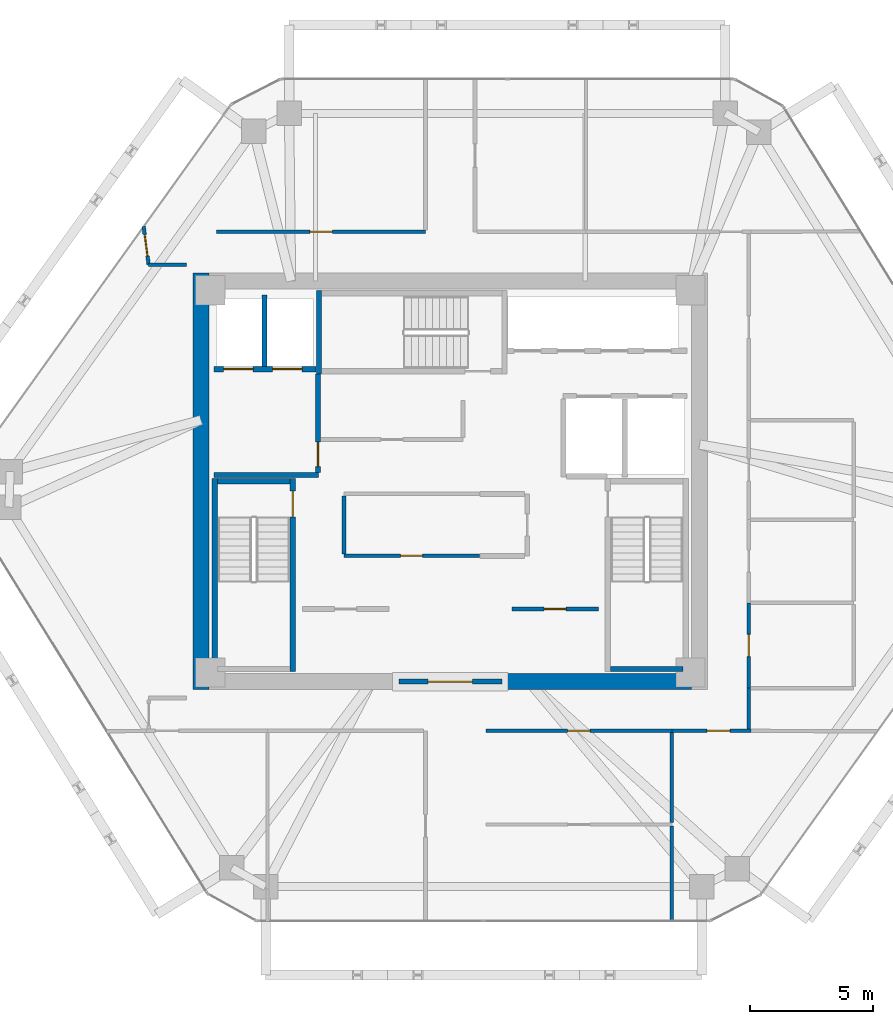
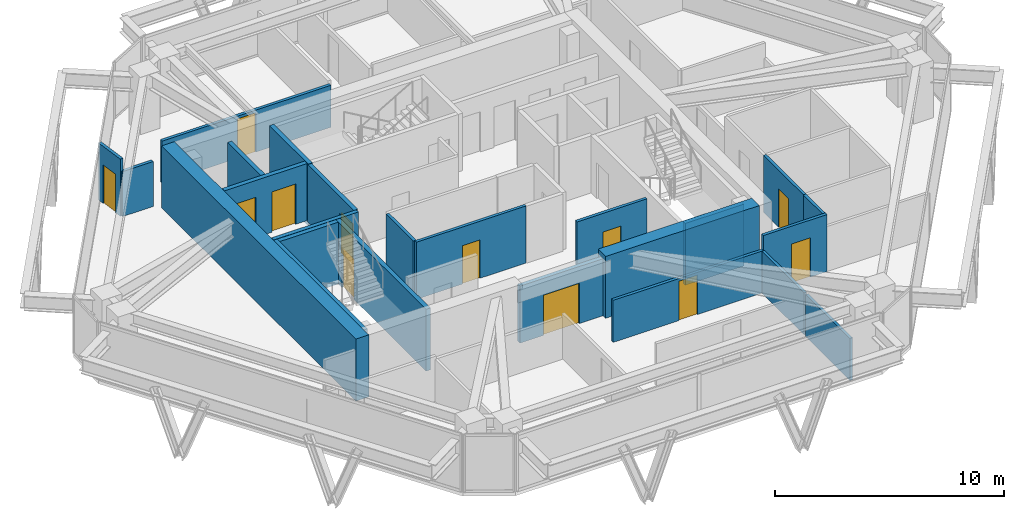
# One storey, part 8 of 11: 24 walls, 12 doors, 12 openings.
"""IFC4 building model written with IfcOpenShell, lengths in metres."""

from ifc_helpers import new_model, si_unit, direction, frame, frame_2d, origin, place, context, subcontext, project, spatial, rectangle, extrude, source, transform, mapped, material, layer, layer_set, type_object, type_shapes, element, fill, save


model = new_model("IFC4")

# Units and contexts
model_context = context("Model", 3, precision=1e-05, world=origin(), true_north=direction((0.0, 1.0)))
body_context = subcontext(model_context, "Body", "Model", "MODEL_VIEW")
ifc_project = project(units=[si_unit("LENGTHUNIT", "METRE"), si_unit("AREAUNIT", "SQUARE_METRE"), si_unit("VOLUMEUNIT", "CUBIC_METRE"), si_unit("PLANEANGLEUNIT", "RADIAN"), si_unit("MASSUNIT", "GRAM", prefix="KILO")], contexts=[model_context])

# Site, building, storey
site_placement = place(None, origin())
site = spatial("IfcSite", under=ifc_project, at=site_placement, CompositionType="ELEMENT")
building_placement = place(site_placement, origin())
building = spatial("IfcBuilding", under=site, at=building_placement, Name="Durnholm Broadcast Tower", CompositionType="ELEMENT")
storey_placement = place(building_placement, frame((0.0, 0.0, 196.89990234375)))
storey = spatial("IfcBuildingStorey", under=building, at=storey_placement, Name="L54", CompositionType="ELEMENT", Elevation=196.89990234375)

# Walls
ifc_material_1 = material(Name="Concrete C70/85", Category="concrete")
ifc_layer_1 = layer(ifc_material_1, 0.64990234375)
ifc_layer_set_1 = layer_set([ifc_layer_1], Name="Concrete C70/85")
wall_type_1 = type_object("IfcWallType", Name="WALL-CW-650", PredefinedType="SHEAR", material=ifc_layer_set_1)
wall_1_placement = place(storey_placement, frame((-10.175048828125, -8.5, 0.0), z_axis=(0.0, 0.0, 1.0), x_axis=(0.0, 1.0, 0.0)))
element("IfcWall", 1, at=wall_1_placement, inside=storey, type_object=wall_type_1, Name="L54 central core shear wall CW-WEST", PredefinedType="SHEAR", context=body_context, shape_type="SweptSolid", body=[
    extrude(rectangle(XDim=17.0, YDim=0.64990234375, at=frame_2d((8.5, 0.0))), origin(), (0.0, 0.0, 1.0), 3.300048828125),
])
wall_2_placement = place(storey_placement, frame((2.10009765625, -8.175048828125, 0.0), z_axis=(0.0, 0.0, 1.0), x_axis=(1.0, 0.0, 0.0)))
element("IfcWall", 2, at=wall_2_placement, inside=storey, type_object=wall_type_1, Name="L54 central core shear wall CW-S2", PredefinedType="SHEAR", context=body_context, shape_type="SweptSolid", body=[
    extrude(rectangle(XDim=7.75, YDim=0.64990234375, at=frame_2d((3.875, 0.0))), origin(), (0.0, 0.0, 1.0), 3.300048828125),
])

# Wall, opening, door
ifc_material_2 = material(Name="Fire-Rated Gypsum Shaftwall", Category="concrete")
ifc_layer_2 = layer(ifc_material_2, 0.199951171875)
ifc_layer_set_2 = layer_set([ifc_layer_2], Name="Fire-Rated Gypsum Shaftwall")
wall_type_2 = type_object("IfcWallType", Name="WALL-LOB-200", PredefinedType="SOLIDWALL", material=ifc_layer_set_2)
wall_3_placement = place(storey_placement, frame((-2.10009765625, -8.175048828125, 0.0), z_axis=(0.0, 0.0, 1.0), x_axis=(1.0, 0.0, 0.0)))
wall_3 = element("IfcWall", 3, at=wall_3_placement, inside=storey, type_object=wall_type_2, Name="L54 south core lobby fire screen", PredefinedType="SOLIDWALL", context=body_context, shape_type="SweptSolid", body=[
    extrude(rectangle(XDim=4.2001953125, YDim=0.199951171875, at=frame_2d((2.10009765625, 0.0))), origin(), (0.0, 0.0, 1.0), 3.045166015625),
])
opening_1_placement = place(wall_3_placement, frame((1.199951171875, 0.0, 0.0)))
opening_1 = element("IfcOpeningElement", 4, at=opening_1_placement, cuts=wall_3, Name="Opening DP-60", PredefinedType="OPENING", context=body_context, shape_type="SweptSolid", body=[
    extrude(rectangle(XDim=1.800048828125, YDim=2.14990234375, at=frame_2d((0.89990234375, 1.074951171875))), frame((0.0, 0.10986328125, 0.0), z_axis=(0.0, -1.0, 0.0), x_axis=(1.0, 0.0, 0.0)), (0.0, 0.0, 1.0), 0.219970703125),
])
ifc_material_3 = material(Name="Fire-Rated Double Corridor Door", Category="steel")
ifc_layer_3 = layer(ifc_material_3, 0.050048828125)
ifc_layer_set_3 = layer_set([ifc_layer_3], Name="Fire-Rated Double Corridor Door")
door_type_1 = type_object("IfcDoorType", Name="DOOR-PAIR-FD60", OperationType="DOUBLE_DOOR_SINGLE_SWING", PredefinedType="DOOR", material=ifc_layer_set_3)
shared_shape_1 = source(origin(), body_context, "Body", "SweptSolid", [
    extrude(rectangle(XDim=1.800048828125, YDim=2.14990234375, at=frame_2d((0.89990234375, 1.074951171875))), frame((0.0, 0.02490234375, 0.0), z_axis=(0.0, -1.0, 0.0), x_axis=(1.0, 0.0, 0.0)), (0.0, 0.0, 1.0), 0.050048828125),
])
type_shapes(door_type_1, [shared_shape_1])
door_1_placement = place(opening_1_placement, origin())
door_1 = element("IfcDoor", 5, at=door_1_placement, inside=storey, type_object=door_type_1, Name="L54 south core lobby double fire door", OperationType="DOUBLE_DOOR_SINGLE_SWING", OverallHeight=2.14990234375, OverallWidth=1.800048828125, PredefinedType="DOOR", context=body_context, shape_type="MappedRepresentation", body=[
    mapped(shared_shape_1, transform((0.0, 0.0, 0.0), x_axis=(1.0, 0.0, 0.0), y_axis=(0.0, 1.0, 0.0), z_axis=(0.0, 0.0, 1.0), scale=1.0)),
])
fill(opening_1, door_1)

# Wall
wall_4_placement = place(storey_placement, frame((-9.64990234375, 0.25, 0.0), z_axis=(0.0, 0.0, 1.0), x_axis=(1.0, 0.0, 0.0)))
element("IfcWall", 6, at=wall_4_placement, inside=storey, type_object=wall_type_2, Name="L54 Fire Service Access Elevator lobby south wall", PredefinedType="SOLIDWALL", context=body_context, shape_type="SweptSolid", body=[
    extrude(rectangle(XDim=4.27001953125, YDim=0.199951171875, at=frame_2d((2.135009765625, 0.0))), origin(), (0.0, 0.0, 1.0), 3.045166015625),
])

# Wall, opening, door
wall_5_placement = place(storey_placement, frame((-5.39990234375, 0.35400390625, 0.0), z_axis=(0.0, 0.0, 1.0), x_axis=(0.0, 1.0, 0.0)))
wall_5 = element("IfcWall", 7, at=wall_5_placement, inside=storey, type_object=wall_type_2, Name="L54 Fire Service Access Elevator lobby east fire wall", PredefinedType="SOLIDWALL", context=body_context, shape_type="SweptSolid", body=[
    extrude(rectangle(XDim=4.02587890625, YDim=0.199951171875, at=frame_2d((2.012939453125, 0.0))), origin(), (0.0, 0.0, 1.0), 3.045166015625),
])
opening_2_placement = place(wall_5_placement, frame((0.24609375, 0.0, 0.0)))
opening_2 = element("IfcOpeningElement", 8, at=opening_2_placement, cuts=wall_5, Name="Opening DL-60L", PredefinedType="OPENING", context=body_context, shape_type="SweptSolid", body=[
    extrude(rectangle(XDim=1.0, YDim=2.14990234375, at=frame_2d((0.5, 1.074951171875))), frame((0.0, 0.10986328125, 0.0), z_axis=(0.0, -1.0, 0.0), x_axis=(1.0, 0.0, 0.0)), (0.0, 0.0, 1.0), 0.219970703125),
])
ifc_material_4 = material(Name="Fire-Rated Timber/Steel Door", Category="steel")
ifc_layer_4 = layer(ifc_material_4, 0.050048828125)
ifc_layer_set_4 = layer_set([ifc_layer_4], Name="Fire-Rated Timber/Steel Door")
door_type_2 = type_object("IfcDoorType", Name="DOOR-LOB-FD60-L", OperationType="NOTDEFINED", PredefinedType="DOOR", material=ifc_layer_set_4)
shared_shape_2 = source(origin(), body_context, "Body", "SweptSolid", [
    extrude(rectangle(XDim=1.0, YDim=2.14990234375, at=frame_2d((0.5, 1.074951171875))), frame((0.0, 0.02490234375, 0.0), z_axis=(0.0, -1.0, 0.0), x_axis=(1.0, 0.0, 0.0)), (0.0, 0.0, 1.0), 0.050048828125),
])
type_shapes(door_type_2, [shared_shape_2])
door_2_placement = place(opening_2_placement, origin())
door_2 = element("IfcDoor", 9, at=door_2_placement, inside=storey, type_object=door_type_2, Name="L54 Fire Service Access Elevator lobby smoke door", OperationType="SINGLE_SWING_LEFT", OverallHeight=2.14990234375, OverallWidth=1.0, PredefinedType="DOOR", context=body_context, shape_type="MappedRepresentation", body=[
    mapped(shared_shape_2, transform((0.0, 0.0, 0.0), x_axis=(1.0, 0.0, 0.0), y_axis=(0.0, 1.0, 0.0), z_axis=(0.0, 0.0, 1.0), scale=1.0)),
])
fill(opening_2, door_2)

# Walls
ifc_material_5 = material(Name="Gypsum Metal Stud Partition", Category="concrete")
ifc_layer_5 = layer(ifc_material_5, 0.135009765625)
ifc_layer_set_5 = layer_set([ifc_layer_5], Name="Gypsum Metal Stud Partition")
wall_type_3 = type_object("IfcWallType", Name="WALL-PART-135", PredefinedType="PARTITIONING", material=ifc_layer_set_5)
wall_6_placement = place(storey_placement, frame((9.0400390625, -14.072509765625, 0.0), z_axis=(0.0, 0.0, 1.0), x_axis=(0.0, -1.0, 0.0)))
element("IfcWall", 10, at=wall_6_placement, inside=storey, type_object=wall_type_3, Name="L54 room dividing partition 14.16", PredefinedType="PARTITIONING", context=body_context, shape_type="SweptSolid", body=[
    extrude(rectangle(XDim=3.869384765625, YDim=0.135009765625, at=frame_2d((1.9345703125, 0.0))), origin(), (0.0, 0.0, 1.0), 2.241943359375),
])
wall_7_placement = place(storey_placement, frame((9.0400390625, -10.259033203125, 0.0), z_axis=(0.0, 0.0, 1.0), x_axis=(0.0, -1.0, 0.0)))
element("IfcWall", 11, at=wall_7_placement, inside=storey, type_object=wall_type_3, Name="L54 room dividing partition 15.16", PredefinedType="PARTITIONING", context=body_context, shape_type="SweptSolid", body=[
    extrude(rectangle(XDim=3.67041015625, YDim=0.135009765625, at=frame_2d((1.835205078125, 0.0))), origin(), (0.0, 0.0, 1.0), 2.241943359375),
])

# Wall, opening, door
ifc_material_6 = material(Name="Acoustic Gypsum Stud Partition", Category="concrete")
ifc_layer_6 = layer(ifc_material_6, 0.14990234375)
ifc_layer_set_6 = layer_set([ifc_layer_6], Name="Acoustic Gypsum Stud Partition")
wall_type_4 = type_object("IfcWallType", Name="WALL-PART-150", PredefinedType="PARTITIONING", material=ifc_layer_set_6)
wall_8_placement = place(storey_placement, frame((2.510009765625, -5.2099609375, 0.0), z_axis=(0.0, 0.0, 1.0), x_axis=(1.0, 0.0, 0.0)))
wall_8 = element("IfcWall", 12, at=wall_8_placement, inside=storey, type_object=wall_type_4, Name="L54 Editorial Beverage Pantry corridor partition", PredefinedType="PARTITIONING", context=body_context, shape_type="SweptSolid", body=[
    extrude(rectangle(XDim=3.530029296875, YDim=0.14990234375, at=frame_2d((1.76513671875, 0.0))), origin(), (0.0, 0.0, 1.0), 3.045166015625),
])
opening_3_placement = place(wall_8_placement, frame((1.31494140625, 0.0, 0.0)))
opening_3 = element("IfcOpeningElement", 13, at=opening_3_placement, cuts=wall_8, Name="Opening DC-60L", PredefinedType="OPENING", context=body_context, shape_type="SweptSolid", body=[
    extrude(rectangle(XDim=0.89990234375, YDim=2.050048828125, at=frame_2d((0.449951171875, 1.02490234375))), frame((0.0, 0.0849609375, 0.0), z_axis=(0.0, -1.0, 0.0), x_axis=(1.0, 0.0, 0.0)), (0.0, 0.0, 1.0), 0.169921875),
])
ifc_material_7 = material(Name="Fire-Rated Core Service Door", Category="steel")
ifc_layer_7 = layer(ifc_material_7, 0.050048828125)
ifc_layer_set_7 = layer_set([ifc_layer_7], Name="Fire-Rated Core Service Door")
door_type_3 = type_object("IfcDoorType", Name="DOOR-CORE-FD60-L", OperationType="NOTDEFINED", PredefinedType="DOOR", material=ifc_layer_set_7)
shared_shape_3 = source(origin(), body_context, "Body", "SweptSolid", [
    extrude(rectangle(XDim=0.89990234375, YDim=2.050048828125, at=frame_2d((0.449951171875, 1.02490234375))), frame((0.0, 0.02490234375, 0.0), z_axis=(0.0, -1.0, 0.0), x_axis=(1.0, 0.0, 0.0)), (0.0, 0.0, 1.0), 0.050048828125),
])
type_shapes(door_type_3, [shared_shape_3])
door_3_placement = place(opening_3_placement, origin())
door_3 = element("IfcDoor", 14, at=door_3_placement, inside=storey, type_object=door_type_3, Name="L54 Editorial Beverage Pantry entrance door", OperationType="SINGLE_SWING_LEFT", OverallHeight=2.050048828125, OverallWidth=0.89990234375, PredefinedType="DOOR", context=body_context, shape_type="MappedRepresentation", body=[
    mapped(shared_shape_3, transform((0.0, 0.0, 0.0), x_axis=(1.0, 0.0, 0.0), y_axis=(0.0, 1.0, 0.0), z_axis=(0.0, 0.0, 1.0), scale=1.0)),
])
fill(opening_3, door_3)

wall_9_placement = place(storey_placement, frame((1.18994140625, -3.0400390625, 0.0), z_axis=(0.0, 0.0, 1.0), x_axis=(-1.0, 0.0, 0.0)))
wall_9 = element("IfcWall", 15, at=wall_9_placement, inside=storey, type_object=wall_type_4, Name="L54 Broadcast Equipment Store corridor partition", PredefinedType="PARTITIONING", context=body_context, shape_type="SweptSolid", body=[
    extrude(rectangle(XDim=5.530029296875, YDim=0.14990234375, at=frame_2d((2.76513671875, 0.0))), origin(), (0.0, 0.0, 1.0), 3.045166015625),
])
opening_4_placement = place(wall_9_placement, frame((2.31494140625, 0.0, 0.0)))
opening_4 = element("IfcOpeningElement", 16, at=opening_4_placement, cuts=wall_9, Name="Opening DC-60R", PredefinedType="OPENING", context=body_context, shape_type="SweptSolid", body=[
    extrude(rectangle(XDim=0.89990234375, YDim=2.050048828125, at=frame_2d((0.449951171875, 1.02490234375))), frame((0.0, 0.0849609375, 0.0), z_axis=(0.0, -1.0, 0.0), x_axis=(1.0, 0.0, 0.0)), (0.0, 0.0, 1.0), 0.169921875),
])
ifc_layer_8 = layer(ifc_material_7, 0.050048828125)
ifc_layer_set_8 = layer_set([ifc_layer_8], Name="Fire-Rated Core Service Door")
door_type_4 = type_object("IfcDoorType", Name="DOOR-CORE-FD60-R", OperationType="NOTDEFINED", PredefinedType="DOOR", material=ifc_layer_set_8)
shared_shape_4 = source(origin(), body_context, "Body", "SweptSolid", [
    extrude(rectangle(XDim=0.89990234375, YDim=2.050048828125, at=frame_2d((0.449951171875, 1.02490234375))), frame((0.0, 0.02490234375, 0.0), z_axis=(0.0, -1.0, 0.0), x_axis=(1.0, 0.0, 0.0)), (0.0, 0.0, 1.0), 0.050048828125),
])
type_shapes(door_type_4, [shared_shape_4])
door_4_placement = place(opening_4_placement, origin())
door_4 = element("IfcDoor", 17, at=door_4_placement, inside=storey, type_object=door_type_4, Name="L54 Broadcast Equipment Store entrance door", OperationType="SINGLE_SWING_RIGHT", OverallHeight=2.050048828125, OverallWidth=0.89990234375, PredefinedType="DOOR", context=body_context, shape_type="MappedRepresentation", body=[
    mapped(shared_shape_4, transform((0.0, 0.0, 0.0), x_axis=(1.0, 0.0, 0.0), y_axis=(0.0, 1.0, 0.0), z_axis=(0.0, 0.0, 1.0), scale=1.0)),
])
fill(opening_4, door_4)

# Wall
wall_10_placement = place(storey_placement, frame((-4.340087890625, -2.9609375, 0.0), z_axis=(0.0, 0.0, 1.0), x_axis=(0.0, 1.0, 0.0)))
element("IfcWall", 18, at=wall_10_placement, inside=storey, type_object=wall_type_4, Name="L54 Broadcast Equipment Store corridor partition", PredefinedType="PARTITIONING", context=body_context, shape_type="SweptSolid", body=[
    extrude(rectangle(XDim=2.371826171875, YDim=0.14990234375, at=frame_2d((1.18603515625, 0.0))), origin(), (0.0, 0.0, 1.0), 3.045166015625),
])

# Wall, opening, door
wall_11_placement = place(storey_placement, frame((-1.010009765625, 10.179931640625, 0.0), z_axis=(0.0, 0.0, 1.0), x_axis=(-1.0, 0.0, 0.0)))
wall_11 = element("IfcWall", 19, at=wall_11_placement, inside=storey, type_object=wall_type_4, Name="L54 Open Plan Broadcast Workspace 2 corridor partition", PredefinedType="PARTITIONING", context=body_context, shape_type="SweptSolid", body=[
    extrude(rectangle(XDim=8.530029296875, YDim=0.14990234375, at=frame_2d((4.26513671875, 0.0))), origin(), (0.0, 0.0, 1.0), 2.241943359375),
])
opening_5_placement = place(wall_11_placement, frame((3.804931640625, 0.0, 0.0)))
opening_5 = element("IfcOpeningElement", 20, at=opening_5_placement, cuts=wall_11, Name="Opening DR-92R", PredefinedType="OPENING", context=body_context, shape_type="SweptSolid", body=[
    extrude(rectangle(XDim=0.919921875, YDim=2.10009765625, at=frame_2d((0.4599609375, 1.050048828125))), frame((0.0, 0.0849609375, 0.0), z_axis=(0.0, -1.0, 0.0), x_axis=(1.0, 0.0, 0.0)), (0.0, 0.0, 1.0), 0.169921875),
])
ifc_material_8 = material(Name="Oak Veneer Office Door", Category="wood")
ifc_layer_9 = layer(ifc_material_8, 0.050048828125)
ifc_layer_set_9 = layer_set([ifc_layer_9], Name="Oak Veneer Office Door")
door_type_5 = type_object("IfcDoorType", Name="DOOR-RM-920R", OperationType="NOTDEFINED", PredefinedType="DOOR", material=ifc_layer_set_9)
shared_shape_5 = source(origin(), body_context, "Body", "SweptSolid", [
    extrude(rectangle(XDim=0.919921875, YDim=2.10009765625, at=frame_2d((0.4599609375, 1.050048828125))), frame((0.0, 0.02490234375, 0.0), z_axis=(0.0, -1.0, 0.0), x_axis=(1.0, 0.0, 0.0)), (0.0, 0.0, 1.0), 0.050048828125),
])
type_shapes(door_type_5, [shared_shape_5])
door_5_placement = place(opening_5_placement, origin())
door_5 = element("IfcDoor", 21, at=door_5_placement, inside=storey, type_object=door_type_5, Name="L54 Open Plan Broadcast Workspace 2 entrance door", OperationType="SINGLE_SWING_RIGHT", OverallHeight=2.10009765625, OverallWidth=0.919921875, PredefinedType="DOOR", context=body_context, shape_type="MappedRepresentation", body=[
    mapped(shared_shape_5, transform((0.0, 0.0, 0.0), x_axis=(1.0, 0.0, 0.0), y_axis=(0.0, 1.0, 0.0), z_axis=(0.0, 0.0, 1.0), scale=1.0)),
])
fill(opening_5, door_5)

wall_12_placement = place(storey_placement, frame((1.4599609375, -10.179931640625, 0.0), z_axis=(0.0, 0.0, 1.0), x_axis=(1.0, 0.0, 0.0)))
wall_12 = element("IfcWall", 22, at=wall_12_placement, inside=storey, type_object=wall_type_4, Name="L54 Print Design Office corridor partition", PredefinedType="PARTITIONING", context=body_context, shape_type="SweptSolid", body=[
    extrude(rectangle(XDim=7.580078125, YDim=0.14990234375, at=frame_2d((3.7900390625, 0.0))), origin(), (0.0, 0.0, 1.0), 2.241943359375),
])
opening_6_placement = place(wall_12_placement, frame((3.330078125, 0.0, 0.0)))
opening_6 = element("IfcOpeningElement", 23, at=opening_6_placement, cuts=wall_12, Name="Opening DR-92L", PredefinedType="OPENING", context=body_context, shape_type="SweptSolid", body=[
    extrude(rectangle(XDim=0.919921875, YDim=2.10009765625, at=frame_2d((0.4599609375, 1.050048828125))), frame((0.0, 0.0849609375, 0.0), z_axis=(0.0, -1.0, 0.0), x_axis=(1.0, 0.0, 0.0)), (0.0, 0.0, 1.0), 0.169921875),
])
ifc_layer_10 = layer(ifc_material_8, 0.050048828125)
ifc_layer_set_10 = layer_set([ifc_layer_10], Name="Oak Veneer Office Door")
door_type_6 = type_object("IfcDoorType", Name="DOOR-RM-920L", OperationType="NOTDEFINED", PredefinedType="DOOR", material=ifc_layer_set_10)
shared_shape_6 = source(origin(), body_context, "Body", "SweptSolid", [
    extrude(rectangle(XDim=0.919921875, YDim=2.10009765625, at=frame_2d((0.4599609375, 1.050048828125))), frame((0.0, 0.02490234375, 0.0), z_axis=(0.0, -1.0, 0.0), x_axis=(1.0, 0.0, 0.0)), (0.0, 0.0, 1.0), 0.050048828125),
])
type_shapes(door_type_6, [shared_shape_6])
door_6_placement = place(opening_6_placement, origin())
door_6 = element("IfcDoor", 24, at=door_6_placement, inside=storey, type_object=door_type_6, Name="L54 Print Design Office entrance door", OperationType="SINGLE_SWING_LEFT", OverallHeight=2.10009765625, OverallWidth=0.919921875, PredefinedType="DOOR", context=body_context, shape_type="MappedRepresentation", body=[
    mapped(shared_shape_6, transform((0.0, 0.0, 0.0), x_axis=(1.0, 0.0, 0.0), y_axis=(0.0, 1.0, 0.0), z_axis=(0.0, 0.0, 1.0), scale=1.0)),
])
fill(opening_6, door_6)

wall_13_placement = place(storey_placement, frame((9.0400390625, -10.179931640625, 0.0), z_axis=(0.0, 0.0, 1.0), x_axis=(1.0, 0.0, 0.0)))
wall_13 = element("IfcWall", 25, at=wall_13_placement, inside=storey, type_object=wall_type_4, Name="L54 Open Plan Broadcast Workspace 3 corridor partition", PredefinedType="PARTITIONING", context=body_context, shape_type="SweptSolid", body=[
    extrude(rectangle(XDim=3.219970703125, YDim=0.14990234375, at=frame_2d((1.60986328125, 0.0))), origin(), (0.0, 0.0, 1.0), 3.045166015625),
])
opening_7_placement = place(wall_13_placement, frame((1.429931640625, 0.0, 0.0)))
opening_7 = element("IfcOpeningElement", 26, at=opening_7_placement, cuts=wall_13, Name="Opening DR-95R", PredefinedType="OPENING", context=body_context, shape_type="SweptSolid", body=[
    extrude(rectangle(XDim=0.949951171875, YDim=2.10009765625, at=frame_2d((0.47509765625, 1.050048828125))), frame((0.0, 0.0849609375, 0.0), z_axis=(0.0, -1.0, 0.0), x_axis=(1.0, 0.0, 0.0)), (0.0, 0.0, 1.0), 0.169921875),
])
ifc_material_9 = material(Name="Acoustic Oak Veneer Timber Door", Category="wood")
ifc_layer_11 = layer(ifc_material_9, 0.050048828125)
ifc_layer_set_11 = layer_set([ifc_layer_11], Name="Acoustic Oak Veneer Timber Door")
door_type_7 = type_object("IfcDoorType", Name="DOOR-RM-950R", OperationType="NOTDEFINED", PredefinedType="DOOR", material=ifc_layer_set_11)
shared_shape_7 = source(origin(), body_context, "Body", "SweptSolid", [
    extrude(rectangle(XDim=0.949951171875, YDim=2.10009765625, at=frame_2d((0.47509765625, 1.050048828125))), frame((0.0, 0.02490234375, 0.0), z_axis=(0.0, -1.0, 0.0), x_axis=(1.0, 0.0, 0.0)), (0.0, 0.0, 1.0), 0.050048828125),
])
type_shapes(door_type_7, [shared_shape_7])
door_7_placement = place(opening_7_placement, origin())
door_7 = element("IfcDoor", 27, at=door_7_placement, inside=storey, type_object=door_type_7, Name="L54 Open Plan Broadcast Workspace 3 entrance door", OperationType="SINGLE_SWING_RIGHT", OverallHeight=2.10009765625, OverallWidth=0.949951171875, PredefinedType="DOOR", context=body_context, shape_type="MappedRepresentation", body=[
    mapped(shared_shape_7, transform((0.0, 0.0, 0.0), x_axis=(1.0, 0.0, 0.0), y_axis=(0.0, 1.0, 0.0), z_axis=(0.0, 0.0, 1.0), scale=1.0)),
])
fill(opening_7, door_7)

# Wall
wall_14_placement = place(storey_placement, frame((-12.31005859375, 8.840087890625, 0.0), z_axis=(0.0, 0.0, 1.0), x_axis=(1.0, 0.0, 0.0)))
element("IfcWall", 28, at=wall_14_placement, inside=storey, type_object=wall_type_4, Name="L54 Typography Meeting Room 1 corridor partition", PredefinedType="PARTITIONING", context=body_context, shape_type="SweptSolid", body=[
    extrude(rectangle(XDim=1.550048828125, YDim=0.14990234375, at=frame_2d((0.77490234375, 0.0))), origin(), (0.0, 0.0, 1.0), 2.39892578125),
])

# Wall, opening, door
wall_15_placement = place(storey_placement, frame((-12.514404296875, 10.40625, 0.0), z_axis=(0.0, 0.0, 1.0), x_axis=(0.129378833178, -0.991595238757, 0.0)))
wall_15 = element("IfcWall", 29, at=wall_15_placement, inside=storey, type_object=wall_type_4, Name="L54 Typography Meeting Room 1 corridor partition", PredefinedType="PARTITIONING", context=body_context, shape_type="SweptSolid", body=[
    extrude(rectangle(XDim=1.579345703125, YDim=0.14990234375, at=frame_2d((0.78955078125, 0.0))), origin(), (0.0, 0.0, 1.0), 3.045166015625),
])
opening_8_placement = place(wall_15_placement, frame((0.33984375, 0.0, 0.0)))
opening_8 = element("IfcOpeningElement", 30, at=opening_8_placement, cuts=wall_15, Name="Opening DW-90L", PredefinedType="OPENING", context=body_context, shape_type="SweptSolid", body=[
    extrude(rectangle(XDim=0.89990234375, YDim=2.050048828125, at=frame_2d((0.449951171875, 1.02490234375))), frame((0.0, 0.0849609375, 0.0), z_axis=(0.0, -1.0, 0.0), x_axis=(1.0, 0.0, 0.0)), (0.0, 0.0, 1.0), 0.169921875),
])
ifc_material_10 = material(Name="Laminate Restroom Door", Category="steel")
ifc_layer_12 = layer(ifc_material_10, 0.050048828125)
ifc_layer_set_12 = layer_set([ifc_layer_12], Name="Laminate Restroom Door")
door_type_8 = type_object("IfcDoorType", Name="DOOR-WC-900L", OperationType="NOTDEFINED", PredefinedType="DOOR", material=ifc_layer_set_12)
shared_shape_8 = source(origin(), body_context, "Body", "SweptSolid", [
    extrude(rectangle(XDim=0.89990234375, YDim=2.050048828125, at=frame_2d((0.449951171875, 1.02490234375))), frame((0.0, 0.02490234375, 0.0), z_axis=(0.0, -1.0, 0.0), x_axis=(1.0, 0.0, 0.0)), (0.0, 0.0, 1.0), 0.050048828125),
])
type_shapes(door_type_8, [shared_shape_8])
door_8_placement = place(opening_8_placement, origin())
door_8 = element("IfcDoor", 31, at=door_8_placement, inside=storey, type_object=door_type_8, Name="L54 Typography Meeting Room 1 entrance door", OperationType="SINGLE_SWING_LEFT", OverallHeight=2.050048828125, OverallWidth=0.89990234375, PredefinedType="DOOR", context=body_context, shape_type="MappedRepresentation", body=[
    mapped(shared_shape_8, transform((0.0, 0.0, 0.0), x_axis=(1.0, 0.0, 0.0), y_axis=(0.0, 1.0, 0.0), z_axis=(0.0, 0.0, 1.0), scale=1.0)),
])
fill(opening_8, door_8)

# Wall
wall_16_placement = place(storey_placement, frame((12.179931640625, -10.10107421875, 0.0), z_axis=(0.0, 0.0, 1.0), x_axis=(0.0, 1.0, 0.0)))
element("IfcWall", 32, at=wall_16_placement, inside=storey, type_object=wall_type_4, Name="L54 Typography Meeting Room 2 corridor partition", PredefinedType="PARTITIONING", context=body_context, shape_type="SweptSolid", body=[
    extrude(rectangle(XDim=1.6611328125, YDim=0.14990234375, at=frame_2d((0.83056640625, 0.0))), origin(), (0.0, 0.0, 1.0), 3.045166015625),
])

# Wall, openings, doors
ifc_material_11 = material(Name="Concrete Blockwork C30/37", Category="masonry")
ifc_layer_13 = layer(ifc_material_11, 0.219970703125)
ifc_layer_set_13 = layer_set([ifc_layer_13], Name="Concrete Blockwork C30/37")
wall_type_5 = type_object("IfcWallType", Name="WALL-SHAFT-220", PredefinedType="SOLIDWALL", material=ifc_layer_set_13)
wall_17_placement = place(storey_placement, frame((-9.64990234375, 4.580078125, 0.0), z_axis=(0.0, 0.0, 1.0), x_axis=(1.0, 0.0, 0.0)))
wall_17 = element("IfcWall", 33, at=wall_17_placement, inside=storey, type_object=wall_type_5, Name="L54 FSAE hoistway front fire wall", PredefinedType="SOLIDWALL", context=body_context, shape_type="SweptSolid", body=[
    extrude(rectangle(XDim=4.1748046875, YDim=0.219970703125, at=frame_2d((2.08740234375, 0.0))), origin(), (0.0, 0.0, 1.0), 3.045166015625),
])
opening_9_placement = place(wall_17_placement, frame((0.39990234375, 0.0, 0.0)))
opening_9 = element("IfcOpeningElement", 34, at=opening_9_placement, cuts=wall_17, Name="Opening LD-FSAE-2", PredefinedType="OPENING", context=body_context, shape_type="SweptSolid", body=[
    extrude(rectangle(XDim=1.199951171875, YDim=2.14990234375, at=frame_2d((0.60009765625, 1.074951171875))), frame((0.0, 0.1201171875, 0.0), z_axis=(0.0, -1.0, 0.0), x_axis=(1.0, 0.0, 0.0)), (0.0, 0.0, 1.0), 0.239990234375),
])
opening_10_placement = place(wall_17_placement, frame((2.39990234375, 0.0, 0.0)))
opening_10 = element("IfcOpeningElement", 35, at=opening_10_placement, cuts=wall_17, Name="Opening LD-FSAE-1", PredefinedType="OPENING", context=body_context, shape_type="SweptSolid", body=[
    extrude(rectangle(XDim=1.199951171875, YDim=2.14990234375, at=frame_2d((0.60009765625, 1.074951171875))), frame((0.0, 0.1201171875, 0.0), z_axis=(0.0, -1.0, 0.0), x_axis=(1.0, 0.0, 0.0)), (0.0, 0.0, 1.0), 0.239990234375),
])
ifc_material_12 = material(Name="Fire Service Access Sliding Landing Door", Category="steel")
ifc_layer_14 = layer(ifc_material_12, 0.050048828125)
ifc_layer_set_14 = layer_set([ifc_layer_14], Name="Fire Service Access Sliding Landing Door")
door_type_9 = type_object("IfcDoorType", Name="DOOR-LIFT-FSAE", OperationType="DOUBLE_DOOR_SLIDING", PredefinedType="DOOR", material=ifc_layer_set_14)
shared_shape_9 = source(origin(), body_context, "Body", "SweptSolid", [
    extrude(rectangle(XDim=1.199951171875, YDim=2.14990234375, at=frame_2d((0.60009765625, 1.074951171875))), frame((0.0, 0.02490234375, 0.0), z_axis=(0.0, -1.0, 0.0), x_axis=(1.0, 0.0, 0.0)), (0.0, 0.0, 1.0), 0.050048828125),
])
type_shapes(door_type_9, [shared_shape_9])
door_9_placement = place(opening_9_placement, origin())
door_9 = element("IfcDoor", 36, at=door_9_placement, inside=storey, type_object=door_type_9, Name="L54 Fire Service Access Elevator FSAE-2 sliding landing door", OperationType="DOUBLE_DOOR_SLIDING", OverallHeight=2.14990234375, OverallWidth=1.199951171875, PredefinedType="DOOR", context=body_context, shape_type="MappedRepresentation", body=[
    mapped(shared_shape_9, transform((0.0, 0.0, 0.0), x_axis=(1.0, 0.0, 0.0), y_axis=(0.0, 1.0, 0.0), z_axis=(0.0, 0.0, 1.0), scale=1.0)),
])
fill(opening_9, door_9)
door_10_placement = place(opening_10_placement, origin())
door_10 = element("IfcDoor", 37, at=door_10_placement, inside=storey, type_object=door_type_9, Name="L54 Fire Service Access Elevator FSAE-1 sliding landing door", OperationType="DOUBLE_DOOR_SLIDING", OverallHeight=2.14990234375, OverallWidth=1.199951171875, PredefinedType="DOOR", context=body_context, shape_type="MappedRepresentation", body=[
    mapped(shared_shape_9, transform((0.0, 0.0, 0.0), x_axis=(1.0, 0.0, 0.0), y_axis=(0.0, 1.0, 0.0), z_axis=(0.0, 0.0, 1.0), scale=1.0)),
])
fill(opening_10, door_10)

# Wall
wall_18_placement = place(storey_placement, frame((-7.580078125, 4.694091796875, 0.0), z_axis=(0.0, 0.0, 1.0), x_axis=(0.0, 1.0, 0.0)))
element("IfcWall", 38, at=wall_18_placement, inside=storey, type_object=wall_type_5, Name="L54 FSAE shaft divider wall", PredefinedType="SOLIDWALL", context=body_context, shape_type="SweptSolid", body=[
    extrude(rectangle(XDim=2.906005859375, YDim=0.219970703125, at=frame_2d((1.453125, 0.0))), origin(), (0.0, 0.0, 1.0), 3.045166015625),
])

# Wall, opening, door
ifc_material_13 = material(Name="Concrete C50/60", Category="concrete")
ifc_layer_15 = layer(ifc_material_13, 0.219970703125)
ifc_layer_set_15 = layer_set([ifc_layer_15], Name="Concrete C50/60")
wall_type_6 = type_object("IfcWallType", Name="WALL-SW-220", PredefinedType="SHEAR", material=ifc_layer_set_15)
wall_19_placement = place(storey_placement, frame((-6.429931640625, -7.77001953125, -0.239990234375), z_axis=(0.0, 0.0, 1.0), x_axis=(0.0, 1.0, 0.0)))
wall_19 = element("IfcWall", 39, at=wall_19_placement, inside=storey, type_object=wall_type_6, Name="L54 stair ST-1 structural shaft wall E", PredefinedType="SHEAR", context=body_context, shape_type="SweptSolid", body=[
    extrude(rectangle(XDim=7.89013671875, YDim=0.219970703125, at=frame_2d((3.945068359375, 0.0))), origin(), (0.0, 0.0, 1.0), 3.300048828125),
])
opening_11_placement = place(wall_19_placement, frame((6.320068359375, 0.0, 0.0)))
opening_11 = element("IfcOpeningElement", 40, at=opening_11_placement, cuts=wall_19, Name="Opening DS-90L", PredefinedType="OPENING", context=body_context, shape_type="SweptSolid", body=[
    extrude(rectangle(XDim=1.050048828125, YDim=2.14990234375, at=frame_2d((0.52490234375, 1.074951171875))), frame((0.0, 0.1201171875, 0.0), z_axis=(0.0, -1.0, 0.0), x_axis=(1.0, 0.0, 0.0)), (0.0, 0.0, 1.0), 0.239990234375),
])
ifc_material_14 = material(Name="Fire-Rated Steel Door", Category="steel")
ifc_layer_16 = layer(ifc_material_14, 0.050048828125)
ifc_layer_set_16 = layer_set([ifc_layer_16], Name="Fire-Rated Steel Door")
door_type_10 = type_object("IfcDoorType", Name="DOOR-ST-FD90-L", OperationType="NOTDEFINED", PredefinedType="DOOR", material=ifc_layer_set_16)
shared_shape_10 = source(origin(), body_context, "Body", "SweptSolid", [
    extrude(rectangle(XDim=1.050048828125, YDim=2.14990234375, at=frame_2d((0.52490234375, 1.074951171875))), frame((0.0, 0.02490234375, 0.0), z_axis=(0.0, -1.0, 0.0), x_axis=(1.0, 0.0, 0.0)), (0.0, 0.0, 1.0), 0.050048828125),
])
type_shapes(door_type_10, [shared_shape_10])
door_11_placement = place(opening_11_placement, origin())
door_11 = element("IfcDoor", 41, at=door_11_placement, inside=storey, type_object=door_type_10, Name="L54 exit stair ST-1 fire door", OperationType="SINGLE_SWING_LEFT", OverallHeight=2.14990234375, OverallWidth=1.050048828125, PredefinedType="DOOR", context=body_context, shape_type="MappedRepresentation", body=[
    mapped(shared_shape_10, transform((0.0, 0.0, 0.0), x_axis=(1.0, 0.0, 0.0), y_axis=(0.0, 1.0, 0.0), z_axis=(0.0, 0.0, 1.0), scale=1.0)),
])
fill(opening_11, door_11)

# Walls
wall_20_placement = place(storey_placement, frame((-9.610107421875, 0.1201171875, -0.239990234375), z_axis=(0.0, 0.0, 1.0), x_axis=(0.0, -1.0, 0.0)))
element("IfcWall", 42, at=wall_20_placement, inside=storey, type_object=wall_type_6, Name="L54 stair ST-1 structural shaft wall W", PredefinedType="SHEAR", context=body_context, shape_type="SweptSolid", body=[
    extrude(rectangle(XDim=7.89013671875, YDim=0.219970703125, at=frame_2d((3.945068359375, 0.0))), origin(), (0.0, 0.0, 1.0), 3.300048828125),
])
for number, where, z_axis, x_axis, name in (
    (43, (-6.5400390625, 0.010009765625, -0.239990234375), (0.0, 0.0, 1.0), (-1.0, 0.0, 0.0), "L54 stair ST-1 structural shaft wall N"),
    (44, (6.5400390625, -7.659912109375, -0.239990234375), (0.0, 0.0, 1.0), (1.0, 0.0, 0.0), "L54 stair ST-2 structural shaft wall S"),
):
    element("IfcWall", number, at=place(storey_placement, frame(where, z_axis=z_axis, x_axis=x_axis)), inside=storey, type_object=wall_type_6, Name=name, PredefinedType="SHEAR", context=body_context, shape_type="SweptSolid", body=[
        extrude(rectangle(XDim=2.9599609375, YDim=0.219970703125, at=frame_2d((1.47998046875, 0.0))), origin(), (0.0, 0.0, 1.0), 3.300048828125),
    ])
wall_21_placement = place(storey_placement, frame((-5.360107421875, 7.780029296875, -0.239990234375), z_axis=(0.0, 0.0, 1.0), x_axis=(0.0, -1.0, 0.0)))
element("IfcWall", 45, at=wall_21_placement, inside=storey, type_object=wall_type_6, Name="L54 stair ST-3 structural shaft wall W", PredefinedType="SHEAR", context=body_context, shape_type="SweptSolid", body=[
    extrude(rectangle(XDim=3.400146484375, YDim=0.219970703125, at=frame_2d((1.7001953125, 0.0))), origin(), (0.0, 0.0, 1.0), 3.300048828125),
])

# Wall, opening, door
ifc_material_15 = material(Name="Moisture-Resistant Tile Partition", Category="concrete")
ifc_layer_17 = layer(ifc_material_15, 0.139892578125)
ifc_layer_set_17 = layer_set([ifc_layer_17], Name="Moisture-Resistant Tile Partition")
wall_type_7 = type_object("IfcWallType", Name="WALL-WC-140", PredefinedType="PARTITIONING", material=ifc_layer_set_17)
wall_22_placement = place(storey_placement, frame((12.179931640625, -8.43994140625, 0.0), z_axis=(0.0, 0.0, 1.0), x_axis=(0.0, 1.0, 0.0)))
wall_22 = element("IfcWall", 46, at=wall_22_placement, inside=storey, type_object=wall_type_7, Name="L54 Men's Restroom corridor partition", PredefinedType="PARTITIONING", context=body_context, shape_type="SweptSolid", body=[
    extrude(rectangle(XDim=3.47998046875, YDim=0.139892578125, at=frame_2d((1.739990234375, 0.0))), origin(), (0.0, 0.0, 1.0), 3.045166015625),
])
opening_12_placement = place(wall_22_placement, frame((1.2900390625, 0.0, 0.0)))
opening_12 = element("IfcOpeningElement", 47, at=opening_12_placement, cuts=wall_22, Name="Opening DW-90L", PredefinedType="OPENING", context=body_context, shape_type="SweptSolid", body=[
    extrude(rectangle(XDim=0.89990234375, YDim=2.050048828125, at=frame_2d((0.449951171875, 1.02490234375))), frame((0.0, 0.080078125, 0.0), z_axis=(0.0, -1.0, 0.0), x_axis=(1.0, 0.0, 0.0)), (0.0, 0.0, 1.0), 0.159912109375),
])
door_12_placement = place(opening_12_placement, origin())
door_12 = element("IfcDoor", 48, at=door_12_placement, inside=storey, type_object=door_type_8, Name="L54 Men's Restroom entrance door", OperationType="SINGLE_SWING_LEFT", OverallHeight=2.050048828125, OverallWidth=0.89990234375, PredefinedType="DOOR", context=body_context, shape_type="MappedRepresentation", body=[
    mapped(shared_shape_8, transform((0.0, 0.0, 0.0), x_axis=(1.0, 0.0, 0.0), y_axis=(0.0, 1.0, 0.0), z_axis=(0.0, 0.0, 1.0), scale=1.0)),
])
fill(opening_12, door_12)

save(model, "model.ifc")
